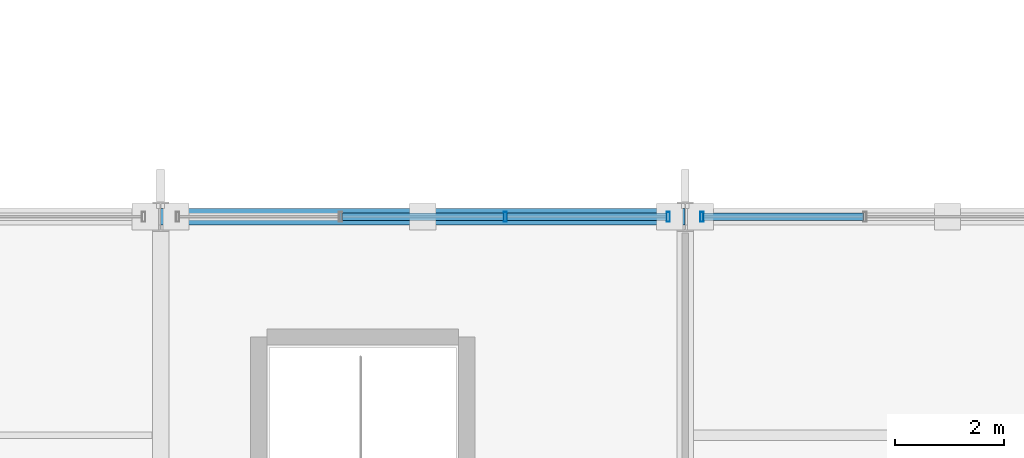
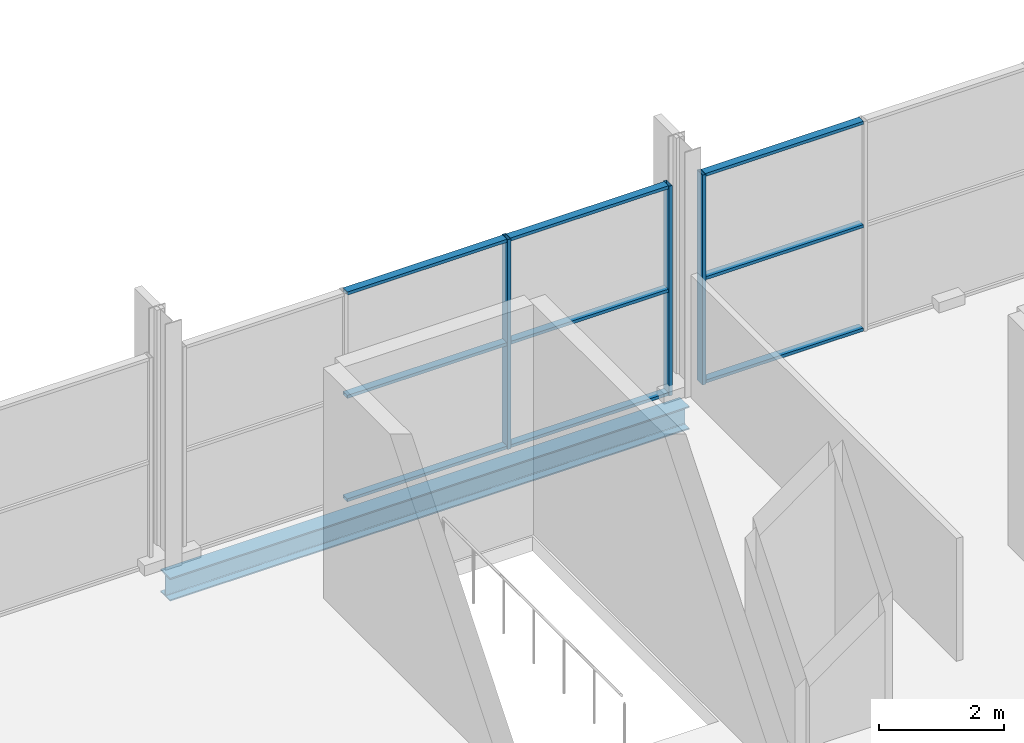
# One storey, part 82 of 159: 12 members, 1 beam, 2 elements without a shape of their own.
"""IFC4 building model written with IfcOpenShell, lengths in metres."""

from ifc_helpers import new_model, si_unit, direction, frame, origin, origin_2d, place, context, subcontext, project, spatial, hollow_rectangle, i_section, extrude, material, material_profile, profile_set, type_object, element, aggregate, save


model = new_model("IFC4")

# Units and contexts
model_context = context("Model", 3, precision=1e-05, world=origin(), true_north=direction((0.0, 1.0)))
body_context = subcontext(model_context, "Body", "Model", "MODEL_VIEW")
ifc_project = project(units=[si_unit("LENGTHUNIT", "METRE"), si_unit("AREAUNIT", "SQUARE_METRE"), si_unit("VOLUMEUNIT", "CUBIC_METRE"), si_unit("PLANEANGLEUNIT", "RADIAN"), si_unit("MASSUNIT", "GRAM", prefix="KILO")], contexts=[model_context])

# Site, building, storey
site_placement = place(None, origin())
site = spatial("IfcSite", under=ifc_project, at=site_placement, CompositionType="ELEMENT")
building_placement = place(site_placement, origin())
building = spatial("IfcBuilding", under=site, at=building_placement, Name="Merenkruunu Market Hall", CompositionType="ELEMENT")
storey_placement = place(building_placement, frame((0.0, 0.0, 5.39990234375)))
storey = spatial("IfcBuildingStorey", under=building, at=storey_placement, Name="L01", CompositionType="ELEMENT", Elevation=5.39990234375)

# Curtain wall, members
ifc_material_1 = material(Name="Powder-coated aluminium", Category="aluminium")
curtain_wall_type = type_object("IfcCurtainWallType", Name="Glazed Curtain Wall CW09", PredefinedType="USERDEFINED", material=ifc_material_1)
curtain_wall_1_placement = place(storey_placement, origin())
curtain_wall_1 = element("IfcCurtainWall", 1, at=curtain_wall_1_placement, inside=storey, type_object=curtain_wall_type, Name="CW-L01-CWM02-057", ObjectType="GLAZED_FACADE", PredefinedType="USERDEFINED")
ifc_material_profile_1 = material_profile(ifc_material_1, hollow_rectangle(XDim=0.06005859375, YDim=0.179931640625, WallThickness=0.00390625, at=origin_2d()), Name="ALU 60x180x4")
ifc_profile_set_1 = profile_set([ifc_material_profile_1], Name="Powder-coated aluminium")
member_type_1 = type_object("IfcMemberType", Name="Curtain Wall Mullion CWM02", PredefinedType="MULLION", material=ifc_profile_set_1)
member_1_placement = place(storey_placement, frame((25.506591796875, 111.60009765625, 0.0), z_axis=(0.0, 0.0, 1.0), x_axis=(1.0, 0.0, 0.0)))
member_1 = element("IfcMember", 2, at=member_1_placement, type_object=member_type_1, Name="CW09 mullion 3", PredefinedType="MULLION", context=body_context, shape_type="SweptSolid", body=[
    extrude(hollow_rectangle(XDim=0.06005859375, YDim=0.179931640625, WallThickness=0.00390625, at=origin_2d()), origin(), (0.0, 0.0, 1.0), 4.10009765625),
])
member_2_placement = place(storey_placement, frame((28.489990234375, 111.60009765625, 0.0), z_axis=(0.0, 0.0, 1.0), x_axis=(1.0, 0.0, 0.0)))
member_2 = element("IfcMember", 3, at=member_2_placement, type_object=member_type_1, Name="CW09 mullion 4", PredefinedType="MULLION", context=body_context, shape_type="SweptSolid", body=[
    extrude(hollow_rectangle(XDim=0.06005859375, YDim=0.179931640625, WallThickness=0.00390625, at=origin_2d()), origin(), (0.0, 0.0, 1.0), 4.10009765625),
])

# Curtain wall, member
curtain_wall_2_placement = place(storey_placement, origin())
curtain_wall_2 = element("IfcCurtainWall", 4, at=curtain_wall_2_placement, inside=storey, type_object=curtain_wall_type, Name="CW-L01-CWM02-060", ObjectType="GLAZED_FACADE", PredefinedType="USERDEFINED")
member_3_placement = place(storey_placement, frame((29.110107421875, 111.60009765625, 0.0), z_axis=(0.0, 0.0, 1.0), x_axis=(1.0, 0.0, 0.0)))
member_3 = element("IfcMember", 5, at=member_3_placement, type_object=member_type_1, Name="CW09 mullion 1", PredefinedType="MULLION", context=body_context, shape_type="SweptSolid", body=[
    extrude(hollow_rectangle(XDim=0.06005859375, YDim=0.179931640625, WallThickness=0.00390625, at=origin_2d()), origin(), (0.0, 0.0, 1.0), 4.10009765625),
])

# Member
ifc_material_profile_2 = material_profile(ifc_material_1, hollow_rectangle(XDim=0.06005859375, YDim=0.139892578125, WallThickness=0.00390625, at=origin_2d()), Name="ALU 60x140x4")
ifc_profile_set_2 = profile_set([ifc_material_profile_2], Name="Powder-coated aluminium")
member_type_2 = type_object("IfcMemberType", Name="Curtain Wall Transom CWT02", PredefinedType="USERDEFINED", material=ifc_profile_set_2)
member_4_placement = place(storey_placement, frame((22.5234375, 111.60009765625, 0.030029296875), z_axis=(1.0, 0.0, 0.0), x_axis=(0.0, 0.0, 1.0)))
member_4 = element("IfcMember", 6, at=member_4_placement, type_object=member_type_2, Name="CW09 transom 2.1", ObjectType="TRANSOM", PredefinedType="USERDEFINED", context=body_context, shape_type="SweptSolid", body=[
    extrude(hollow_rectangle(XDim=0.06005859375, YDim=0.139892578125, WallThickness=0.00390625, at=origin_2d()), origin(), (0.0, 0.0, 1.0), 2.953125),
])

member_5_placement = place(storey_placement, frame((22.5234375, 111.60009765625, 2.050048828125), z_axis=(1.0, 0.0, 0.0), x_axis=(0.0, 0.0, 1.0)))
member_5 = element("IfcMember", 7, at=member_5_placement, type_object=member_type_2, Name="CW09 transom 2.2", ObjectType="TRANSOM", PredefinedType="USERDEFINED", context=body_context, shape_type="SweptSolid", body=[
    extrude(hollow_rectangle(XDim=0.06005859375, YDim=0.139892578125, WallThickness=0.00390625, at=origin_2d()), origin(), (0.0, 0.0, 1.0), 2.953125),
])

member_6_placement = place(storey_placement, frame((22.5234375, 111.60009765625, 4.070068359375), z_axis=(1.0, 0.0, 0.0), x_axis=(0.0, 0.0, 1.0)))
member_6 = element("IfcMember", 8, at=member_6_placement, type_object=member_type_2, Name="CW09 transom 2.3", ObjectType="TRANSOM", PredefinedType="USERDEFINED", context=body_context, shape_type="SweptSolid", body=[
    extrude(hollow_rectangle(XDim=0.06005859375, YDim=0.139892578125, WallThickness=0.00390625, at=origin_2d()), origin(), (0.0, 0.0, 1.0), 2.953125),
])

member_7_placement = place(storey_placement, frame((25.53662109375, 111.60009765625, 0.030029296875), z_axis=(1.0, 0.0, 0.0), x_axis=(0.0, 0.0, 1.0)))
member_7 = element("IfcMember", 9, at=member_7_placement, type_object=member_type_2, Name="CW09 transom 3.1", ObjectType="TRANSOM", PredefinedType="USERDEFINED", context=body_context, shape_type="SweptSolid", body=[
    extrude(hollow_rectangle(XDim=0.06005859375, YDim=0.139892578125, WallThickness=0.00390625, at=origin_2d()), origin(), (0.0, 0.0, 1.0), 2.92333984375),
])

member_8_placement = place(storey_placement, frame((25.53662109375, 111.60009765625, 2.050048828125), z_axis=(1.0, 0.0, 0.0), x_axis=(0.0, 0.0, 1.0)))
member_8 = element("IfcMember", 10, at=member_8_placement, type_object=member_type_2, Name="CW09 transom 3.2", ObjectType="TRANSOM", PredefinedType="USERDEFINED", context=body_context, shape_type="SweptSolid", body=[
    extrude(hollow_rectangle(XDim=0.06005859375, YDim=0.139892578125, WallThickness=0.00390625, at=origin_2d()), origin(), (0.0, 0.0, 1.0), 2.92333984375),
])

member_9_placement = place(storey_placement, frame((25.53662109375, 111.60009765625, 4.070068359375), z_axis=(1.0, 0.0, 0.0), x_axis=(0.0, 0.0, 1.0)))
member_9 = element("IfcMember", 11, at=member_9_placement, type_object=member_type_2, Name="CW09 transom 3.3", ObjectType="TRANSOM", PredefinedType="USERDEFINED", context=body_context, shape_type="SweptSolid", body=[
    extrude(hollow_rectangle(XDim=0.06005859375, YDim=0.139892578125, WallThickness=0.00390625, at=origin_2d()), origin(), (0.0, 0.0, 1.0), 2.92333984375),
])

aggregate(curtain_wall_1, [member_1, member_2, member_4, member_5, member_6, member_7, member_8, member_9])

member_10_placement = place(storey_placement, frame((29.139892578125, 111.60009765625, 0.030029296875), z_axis=(1.0, 0.0, 0.0), x_axis=(0.0, 0.0, 1.0)))
member_10 = element("IfcMember", 12, at=member_10_placement, type_object=member_type_2, Name="CW09 transom 1.1", ObjectType="TRANSOM", PredefinedType="USERDEFINED", context=body_context, shape_type="SweptSolid", body=[
    extrude(hollow_rectangle(XDim=0.06005859375, YDim=0.139892578125, WallThickness=0.00390625, at=origin_2d()), origin(), (0.0, 0.0, 1.0), 2.92333984375),
])

member_11_placement = place(storey_placement, frame((29.139892578125, 111.60009765625, 2.050048828125), z_axis=(1.0, 0.0, 0.0), x_axis=(0.0, 0.0, 1.0)))
member_11 = element("IfcMember", 13, at=member_11_placement, type_object=member_type_2, Name="CW09 transom 1.2", ObjectType="TRANSOM", PredefinedType="USERDEFINED", context=body_context, shape_type="SweptSolid", body=[
    extrude(hollow_rectangle(XDim=0.06005859375, YDim=0.139892578125, WallThickness=0.00390625, at=origin_2d()), origin(), (0.0, 0.0, 1.0), 2.92333984375),
])

member_12_placement = place(storey_placement, frame((29.139892578125, 111.60009765625, 4.070068359375), z_axis=(1.0, 0.0, 0.0), x_axis=(0.0, 0.0, 1.0)))
member_12 = element("IfcMember", 14, at=member_12_placement, type_object=member_type_2, Name="CW09 transom 1.3", ObjectType="TRANSOM", PredefinedType="USERDEFINED", context=body_context, shape_type="SweptSolid", body=[
    extrude(hollow_rectangle(XDim=0.06005859375, YDim=0.139892578125, WallThickness=0.00390625, at=origin_2d()), origin(), (0.0, 0.0, 1.0), 2.92333984375),
])

aggregate(curtain_wall_2, [member_3, member_10, member_11, member_12])

# Beam
ifc_material_2 = material(Name="Steel S355J2", Category="steel")
ifc_material_profile_3 = material_profile(ifc_material_2, i_section(OverallWidth=0.300048828125, OverallDepth=0.449951171875, WebThickness=0.013916015625, FlangeThickness=0.02587890625, FilletRadius=0.027099609375, at=origin_2d()), Name="HEB 450")
ifc_profile_set_3 = profile_set([ifc_material_profile_3], Name="Steel S355J2")
beam_type = type_object("IfcBeamType", Name="Primary Floor Girder B03", PredefinedType="BEAM", material=ifc_profile_set_3)
beam_placement = place(storey_placement, frame((19.199951171875, 111.60009765625, -0.5048828125), z_axis=(1.0, 0.0, 0.0), x_axis=(0.0, 1.0, 0.0)))
element("IfcBeam", 15, at=beam_placement, inside=storey, type_object=beam_type, Name="BM-L01-B03-0547", PredefinedType="BEAM", context=body_context, shape_type="SweptSolid", body=[
    extrude(i_section(OverallWidth=0.300048828125, OverallDepth=0.449951171875, WebThickness=0.013916015625, FlangeThickness=0.02587890625, FilletRadius=0.027099609375, at=origin_2d()), origin(), (0.0, 0.0, 1.0), 9.60009765625),
])

save(model, "model.ifc")
